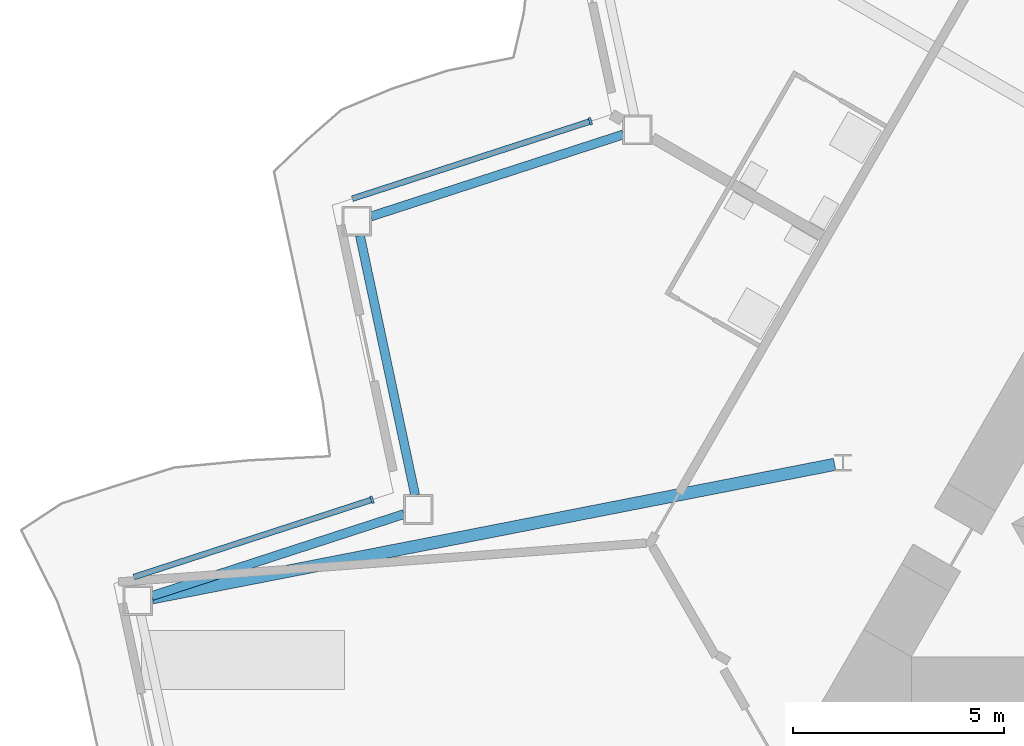
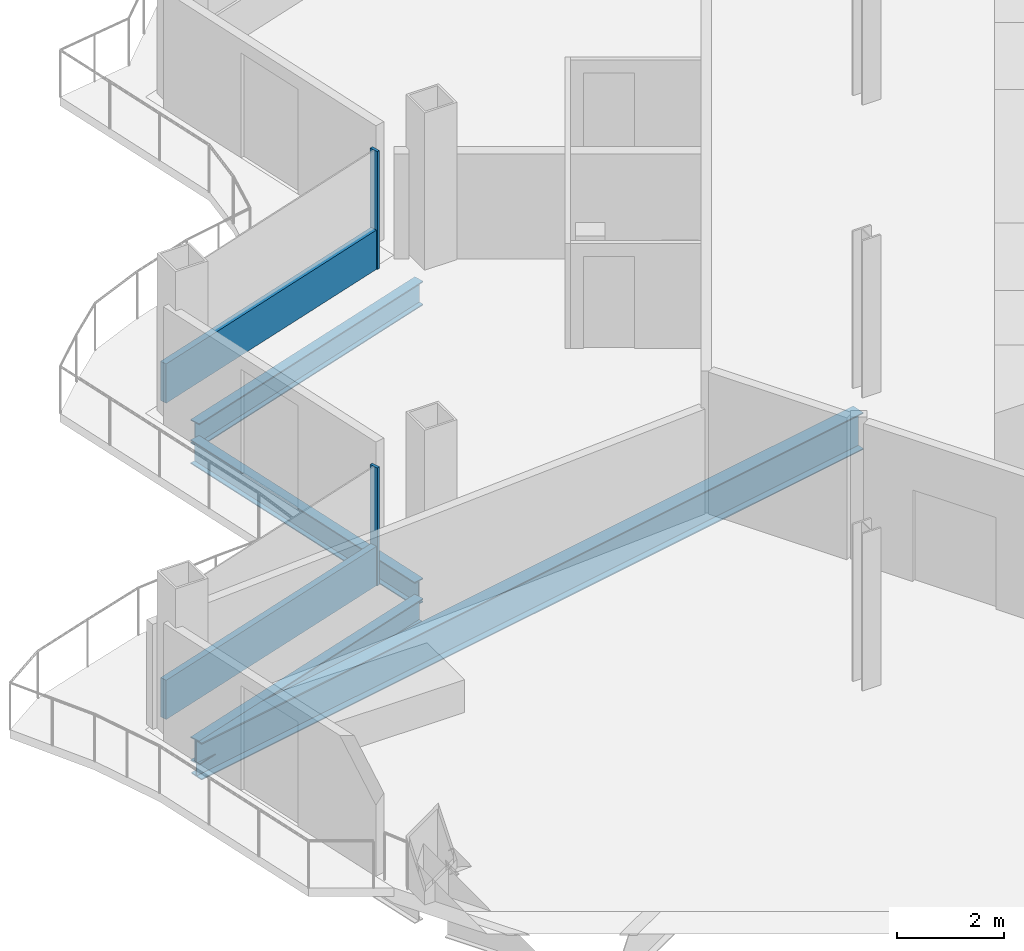
# One storey, part 5 of 24: 4 beams, 4 members, 2 elements without a shape of their own.
"""IFC4 building model written with IfcOpenShell, lengths in metres."""

from ifc_helpers import new_model, si_unit, direction, frame, origin, origin_2d, place, context, subcontext, project, spatial, rectangle, i_section, extrude, material, layer, layer_set, material_profile, profile_set, type_object, element, aggregate, save


model = new_model("IFC4")

# Units and contexts
model_context = context("Model", 3, precision=1e-05, world=origin(), true_north=direction((0.0, 1.0)))
body_context = subcontext(model_context, "Body", "Model", "MODEL_VIEW")
ifc_project = project(units=[si_unit("LENGTHUNIT", "METRE"), si_unit("AREAUNIT", "SQUARE_METRE"), si_unit("VOLUMEUNIT", "CUBIC_METRE"), si_unit("PLANEANGLEUNIT", "RADIAN"), si_unit("MASSUNIT", "GRAM", prefix="KILO")], contexts=[model_context])

# Site, building, storey
site_placement = place(None, origin())
site = spatial("IfcSite", under=ifc_project, at=site_placement, CompositionType="ELEMENT")
building_placement = place(site_placement, origin())
building = spatial("IfcBuilding", under=site, at=building_placement, Name="Cormorant Prow Tower", CompositionType="ELEMENT")
storey_placement = place(building_placement, frame((0.0, 0.0, 238.199951171875)))
storey = spatial("IfcBuildingStorey", under=building, at=storey_placement, Name="L52", CompositionType="ELEMENT", Elevation=238.199951171875)

# Curtain wall, member
ifc_material_1 = material(Name="Aluminium 6063-T6", Category="aluminium")
ifc_layer = layer(ifc_material_1, 0.179931640625)
ifc_layer_set = layer_set([ifc_layer], Name="Aluminium 6063-T6")
curtain_wall_type = type_object("IfcCurtainWallType", Name="Hotel unitised curtain wall 180", PredefinedType="NOTDEFINED", material=ifc_layer_set)
curtain_wall_1_placement = place(storey_placement, origin())
curtain_wall_1 = element("IfcCurtainWall", 1, at=curtain_wall_1_placement, inside=storey, type_object=curtain_wall_type, Name="Hotel curtain wall WNW06", PredefinedType="NOTDEFINED")
ifc_material_2 = material(Name="Aluminium 6063-T6", Category="aluminium")
ifc_material_profile_1 = material_profile(ifc_material_2, rectangle(XDim=0.179931640625, YDim=0.06005859375, at=origin_2d()), Name="Hotel mullion 60x180")
ifc_profile_set_1 = profile_set([ifc_material_profile_1], Name="Aluminium 6063-T6")
member_type_1 = type_object("IfcMemberType", Name="Hotel mullion 60x180", PredefinedType="MULLION", material=ifc_profile_set_1)
member_1_placement = place(storey_placement, frame((-20.3447265625, 5.318359375, 0.0), z_axis=(0.0, 0.0, 1.0), x_axis=(0.309017039126, -0.951056501755, 0.0)))
member_1 = element("IfcMember", 2, at=member_1_placement, type_object=member_type_1, Name="Hotel mullion WNW06", PredefinedType="MULLION", context=body_context, shape_type="SweptSolid", body=[
    extrude(rectangle(XDim=0.179931640625, YDim=0.06005859375, at=origin_2d()), origin(), (0.0, 0.0, 1.0), 2.700927734375),
])

curtain_wall_2_placement = place(storey_placement, origin())
curtain_wall_2 = element("IfcCurtainWall", 3, at=curtain_wall_2_placement, inside=storey, type_object=curtain_wall_type, Name="Hotel curtain wall WNW08", PredefinedType="NOTDEFINED")
member_2_placement = place(storey_placement, frame((-25.5166015625, -3.6396484375, 0.0), z_axis=(0.0, 0.0, 1.0), x_axis=(0.309016951383, -0.951056530264, 0.0)))
member_2 = element("IfcMember", 4, at=member_2_placement, type_object=member_type_1, Name="Hotel mullion WNW08", PredefinedType="MULLION", context=body_context, shape_type="SweptSolid", body=[
    extrude(rectangle(XDim=0.179931640625, YDim=0.06005859375, at=origin_2d()), origin(), (0.0, 0.0, 1.0), 2.700927734375),
])

# Member
ifc_material_3 = material(Name="Terracotta", Category="masonry")
ifc_material_profile_2 = material_profile(ifc_material_3, rectangle(XDim=0.139892578125, YDim=0.89990234375, at=origin_2d()), Name="Hotel terracotta spandrel rail 140x900")
ifc_profile_set_2 = profile_set([ifc_material_profile_2], Name="Terracotta")
member_type_2 = type_object("IfcMemberType", Name="Hotel terracotta spandrel rail 140x900", PredefinedType="USERDEFINED", material=ifc_profile_set_2)
member_3_placement = place(storey_placement, frame((-20.373291015625, 5.30908203125, 0.449951171875), z_axis=(-0.951048974849, -0.309040203597, 0.0), x_axis=(0.309040203597, -0.951048974849, 0.0)))
member_3 = element("IfcMember", 5, at=member_3_placement, type_object=member_type_2, Name="Hotel spandrel rail WNW06", ObjectType="TRANSOM", PredefinedType="USERDEFINED", context=body_context, shape_type="SweptSolid", body=[
    extrude(rectangle(XDim=0.139892578125, YDim=0.89990234375, at=origin_2d()), origin(), (0.0, 0.0, 1.0), 5.897216796875),
])

aggregate(curtain_wall_1, [member_1, member_3])

member_4_placement = place(storey_placement, frame((-25.545166015625, -3.64892578125, 0.449951171875), z_axis=(-0.951048974849, -0.309040203597, 0.0), x_axis=(0.309040203597, -0.951048974849, 0.0)))
member_4 = element("IfcMember", 6, at=member_4_placement, type_object=member_type_2, Name="Hotel spandrel rail WNW08", ObjectType="TRANSOM", PredefinedType="USERDEFINED", context=body_context, shape_type="SweptSolid", body=[
    extrude(rectangle(XDim=0.139892578125, YDim=0.89990234375, at=origin_2d()), origin(), (0.0, 0.0, 1.0), 5.897216796875),
])

aggregate(curtain_wall_2, [member_2, member_4])

# Beams
ifc_material_4 = material(Name="Structural steel ASTM A992 Gr 50", Category="steel")
ifc_material_profile_3 = material_profile(ifc_material_4, i_section(OverallWidth=0.29296875, OverallDepth=0.845703125, WebThickness=0.015380859375, FlangeThickness=0.0244140625, at=origin_2d()), Name="W33x141")
ifc_profile_set_3 = profile_set([ifc_material_profile_3], Name="Structural steel ASTM A992 Gr 50")
beam_type_1 = type_object("IfcBeamType", Name="Radial floor beam W33x141", PredefinedType="BEAM", material=ifc_profile_set_3)
beam_placement = place(storey_placement, frame((-14.5634765625, -2.80322265625, -0.77294921875), z_axis=(-0.981419133752, -0.191876220269, 0.0), x_axis=(0.191876220269, -0.981419133752, 0.0)))
element("IfcBeam", 7, at=beam_placement, inside=storey, type_object=beam_type_1, Name="Radial floor beam FB2 4 L52", PredefinedType="BEAM", context=body_context, shape_type="SweptSolid", body=[
    extrude(i_section(OverallWidth=0.29296875, OverallDepth=0.845703125, WebThickness=0.015380859375, FlangeThickness=0.0244140625, at=origin_2d()), origin(), (0.0, 0.0, 1.0), 16.462158203125),
])
ifc_material_5 = material(Name="Structural steel ASTM A992 Gr 50", Category="steel")
ifc_material_profile_4 = material_profile(ifc_material_5, i_section(OverallWidth=0.2138671875, OverallDepth=0.549072265625, WebThickness=0.0146484375, FlangeThickness=0.023681640625, at=origin_2d()), Name="W21x93")
ifc_profile_set_4 = profile_set([ifc_material_profile_4], Name="Structural steel ASTM A992 Gr 50")
beam_type_2 = type_object("IfcBeamType", Name="Spandrel beam W21x93", PredefinedType="SPANDREL", material=ifc_profile_set_4)
for number, where, z_axis, x_axis, name in (
    (8, (-19.568115234375, 5.00634765625, -0.62451171875), (-0.951061771288, -0.309000820701, 0.0), (0.309000820701, -0.951061771288, 0.0), "Spandrel beam SB2 WNW06-WNW07 L52"),
    (9, (-25.80224609375, 2.61474609375, -0.62451171875), (0.207941499013, -0.978141264331, 0.0), (0.978141264331, 0.207941499013, 0.0), "Spandrel beam SB2 WNW07-WNW08 L52"),
    (10, (-24.75634765625, -3.97998046875, -0.62451171875), (-0.951061771288, -0.309000820701, 0.0), (0.309000820701, -0.951061771288, 0.0), "Spandrel beam SB2 WNW08-WNW09 L52"),
):
    element("IfcBeam", number, at=place(storey_placement, frame(where, z_axis=z_axis, x_axis=x_axis)), inside=storey, type_object=beam_type_2, Name=name, PredefinedType="SPANDREL", context=body_context, shape_type="SweptSolid", body=[
        extrude(i_section(OverallWidth=0.2138671875, OverallDepth=0.549072265625, WebThickness=0.0146484375, FlangeThickness=0.023681640625, at=origin_2d()), origin(), (0.0, 0.0, 1.0), 6.28125),
    ])

save(model, "model.ifc")
